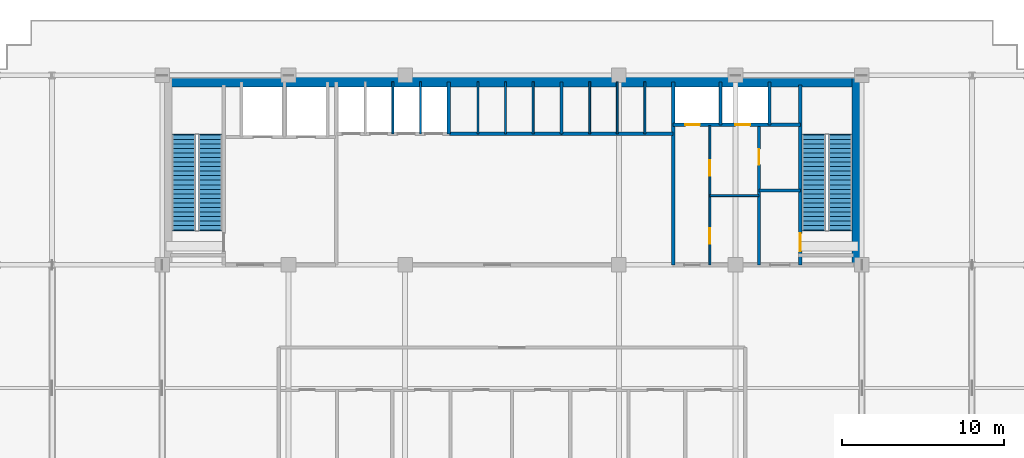
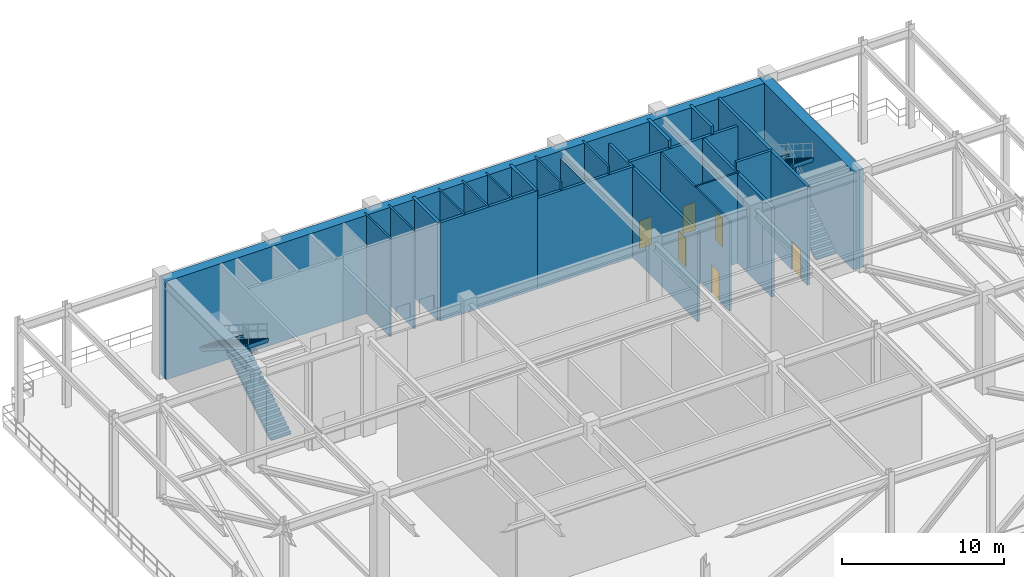
# One storey, part 12 of 16: 23 walls, 6 doors, 4 stair flights, 6 openings, 2 elements without a shape of their own.
"""IFC4 building model written with IfcOpenShell, lengths in metres."""

from ifc_helpers import new_model, si_unit, direction, frame, frame_2d, origin, place, context, subcontext, project, spatial, polyline, rectangle, outline, extrude, source, transform, mapped, material, layer, layer_set, type_object, element, fill, aggregate, save


model = new_model("IFC4")

# Units and contexts
model_context = context("Model", 3, precision=1e-05, world=origin(), true_north=direction((0.0, 1.0)))
body_context = subcontext(model_context, "Body", "Model", "MODEL_VIEW")
ifc_project = project(units=[si_unit("LENGTHUNIT", "METRE"), si_unit("AREAUNIT", "SQUARE_METRE"), si_unit("VOLUMEUNIT", "CUBIC_METRE"), si_unit("PLANEANGLEUNIT", "RADIAN"), si_unit("MASSUNIT", "GRAM", prefix="KILO")], contexts=[model_context])

# Site, building, storey
site_placement = place(None, origin())
site = spatial("IfcSite", under=ifc_project, at=site_placement, CompositionType="ELEMENT")
building_placement = place(site_placement, origin())
building = spatial("IfcBuilding", under=site, at=building_placement, Name="Trelvane Seafront Commons", CompositionType="ELEMENT")
storey_placement = place(building_placement, frame((0.0, 0.0, 73.89990234375)))
storey = spatial("IfcBuildingStorey", under=building, at=storey_placement, Name="L19", CompositionType="ELEMENT", Elevation=73.89990234375)

# Wall, opening, door
ifc_material_1 = material(Name="Concrete C40/50", Category="concrete")
ifc_layer_1 = layer(ifc_material_1, 0.199951171875, Name="ARCH-WALL-FIRE200")
ifc_layer_set_1 = layer_set([ifc_layer_1], Name="Concrete C40/50")
wall_type_1 = type_object("IfcWallType", Name="ARCH-WALL-FIRE200", PredefinedType="PARTITIONING", material=ifc_layer_set_1)
wall_1_placement = place(storey_placement, frame((52.449951171875, 33.39990234375, 0.0), z_axis=(0.0, 0.0, 1.0), x_axis=(0.0, 1.0, 0.0)))
wall_1 = element("IfcWall", 1, at=wall_1_placement, inside=storey, type_object=wall_type_1, Name="W-L19-ST2V-W-033", PredefinedType="PARTITIONING", context=body_context, shape_type="SweptSolid", body=[
    extrude(rectangle(XDim=8.650146484375, YDim=0.199951171875, at=frame_2d((4.3251953125, 0.0))), origin(), (0.0, 0.0, 1.0), 6.77001953125),
])
opening_1_placement = place(wall_1_placement, frame((6.199951171875, 0.0, 0.0)))
opening_1 = element("IfcOpeningElement", 2, at=opening_1_placement, cuts=wall_1, Name="Opening FD-L19-13", PredefinedType="OPENING", context=body_context, shape_type="SweptSolid", body=[
    extrude(rectangle(XDim=0.949951171875, YDim=2.14990234375, at=frame_2d((0.47509765625, 1.074951171875))), frame((0.0, 0.10986328125, 0.0), z_axis=(0.0, -1.0, 0.0), x_axis=(1.0, 0.0, 0.0)), (0.0, 0.0, 1.0), 0.219970703125),
])
ifc_material_2 = material(Name="Powder-coated aluminium frame", Category="aluminium")
door_type_1 = type_object("IfcDoorType", Name="ARCH-DR-FD60-950", OperationType="NOTDEFINED", PredefinedType="DOOR", material=ifc_material_2)
shared_shape_1 = source(origin(), body_context, "Body", "SweptSolid", [
    extrude(rectangle(XDim=0.949951171875, YDim=2.14990234375, at=frame_2d((0.47509765625, 1.074951171875))), frame((0.0, 0.02490234375, 0.0), z_axis=(0.0, -1.0, 0.0), x_axis=(1.0, 0.0, 0.0)), (0.0, 0.0, 1.0), 0.050048828125),
])
door_1_placement = place(opening_1_placement, origin())
door_1 = element("IfcDoor", 3, at=door_1_placement, inside=storey, type_object=door_type_1, Name="L19 Cleaner Store Door", OperationType="SINGLE_SWING_LEFT", OverallHeight=2.14990234375, OverallWidth=0.949951171875, PredefinedType="DOOR", context=body_context, shape_type="MappedRepresentation", body=[
    mapped(shared_shape_1, transform((0.0, 0.0, 0.0), x_axis=(1.0, 0.0, 0.0), y_axis=(0.0, 1.0, 0.0), z_axis=(0.0, 0.0, 1.0), scale=1.0)),
])
fill(opening_1, door_1)

# Walls
wall_2_placement = place(storey_placement, frame((52.449951171875, 38.0, 0.0), z_axis=(0.0, 0.0, 1.0), x_axis=(1.0, 0.0, 0.0)))
element("IfcWall", 4, at=wall_2_placement, inside=storey, type_object=wall_type_1, Name="W-L19-ST2V-N-034", PredefinedType="PARTITIONING", context=body_context, shape_type="SweptSolid", body=[
    extrude(rectangle(XDim=2.550048828125, YDim=0.199951171875, at=frame_2d((1.27490234375, 0.0))), origin(), (0.0, 0.0, 1.0), 7.420166015625),
])
ifc_material_3 = material(Name="Gypsum Drywall Acoustic Partition")
ifc_layer_2 = layer(ifc_material_3, 0.1201171875, Name="ARCH-WALL-PART120")
ifc_layer_set_2 = layer_set([ifc_layer_2], Name="Gypsum Drywall Acoustic Partition")
wall_type_2 = type_object("IfcWallType", Name="ARCH-WALL-PART120", PredefinedType="PARTITIONING", material=ifc_layer_set_2)
for number, where, z_axis, x_axis, name in (
    (5, (29.85009765625, 41.5, 0.0), (0.0, 0.0, 1.0), (0.0, 1.0, 0.0), "W-L19-PL-DIV2-017"),
    (6, (31.550048828125, 41.5, 0.0), (0.0, 0.0, 1.0), (0.0, 1.0, 0.0), "W-L19-PL-DIV3-018"),
    (7, (35.10009765625, 41.5, 0.0), (0.0, 0.0, 1.0), (0.0, 1.0, 0.0), "W-L19-PM-DIV1-020"),
    (8, (36.800048828125, 41.5, 0.0), (0.0, 0.0, 1.0), (0.0, 1.0, 0.0), "W-L19-PM-DIV2-021"),
    (9, (38.5, 41.5, 0.0), (0.0, 0.0, 1.0), (0.0, 1.0, 0.0), "W-L19-PM-DIV3-022"),
    (10, (42.0, 41.5, 0.0), (0.0, 0.0, 1.0), (0.0, 1.0, 0.0), "W-L19-PH-DIV1-025"),
):
    element("IfcWall", number, at=place(storey_placement, frame(where, z_axis=z_axis, x_axis=x_axis)), inside=storey, type_object=wall_type_2, Name=name, PredefinedType="PARTITIONING", context=body_context, shape_type="SweptSolid", body=[
        extrude(rectangle(XDim=3.199951171875, YDim=0.1201171875, at=frame_2d((1.60009765625, 0.0))), origin(), (0.0, 0.0, 1.0), 7.420166015625),
    ])
wall_3_placement = place(storey_placement, frame((43.699951171875, 41.5, 0.0), z_axis=(0.0, 0.0, 1.0), x_axis=(0.0, 1.0, 0.0)))
element("IfcWall", 11, at=wall_3_placement, inside=storey, type_object=wall_type_2, Name="W-L19-PH-DIV2-026", PredefinedType="PARTITIONING", context=body_context, shape_type="SweptSolid", body=[
    extrude(rectangle(XDim=3.199951171875, YDim=0.1201171875, at=frame_2d((1.60009765625, 0.0))), origin(), (0.0, 0.0, 1.0), 6.83203125),
])
wall_4_placement = place(storey_placement, frame((45.39990234375, 41.5, 0.0), z_axis=(0.0, 0.0, 1.0), x_axis=(0.0, 1.0, 0.0)))
element("IfcWall", 12, at=wall_4_placement, inside=storey, type_object=wall_type_2, Name="W-L19-PH-DIV3-027", PredefinedType="PARTITIONING", context=body_context, shape_type="SweptSolid", body=[
    extrude(rectangle(XDim=3.199951171875, YDim=0.1201171875, at=frame_2d((1.60009765625, 0.0))), origin(), (0.0, 0.0, 1.0), 7.420166015625),
])

# Wall, openings, doors
wall_5_placement = place(storey_placement, frame((49.419921875, 33.39990234375, 0.0), z_axis=(0.0, 0.0, 1.0), x_axis=(0.0, 1.0, 0.0)))
wall_5 = element("IfcWall", 13, at=wall_5_placement, inside=storey, type_object=wall_type_2, Name="W-L19-CYC0-V-035", PredefinedType="PARTITIONING", context=body_context, shape_type="SweptSolid", body=[
    extrude(rectangle(XDim=8.60009765625, YDim=0.1201171875, at=frame_2d((4.300048828125, 0.0))), origin(), (0.0, 0.0, 1.0), 6.77001953125),
])
opening_2_placement = place(wall_5_placement, frame((1.300048828125, 0.0, 0.0)))
opening_2 = element("IfcOpeningElement", 14, at=opening_2_placement, cuts=wall_5, Name="Opening D-L19-14", PredefinedType="OPENING", context=body_context, shape_type="SweptSolid", body=[
    extrude(rectangle(XDim=0.949951171875, YDim=2.14990234375, at=frame_2d((0.47509765625, 1.074951171875))), frame((0.0, 0.070068359375, 0.0), z_axis=(0.0, -1.0, 0.0), x_axis=(1.0, 0.0, 0.0)), (0.0, 0.0, 1.0), 0.14013671875),
])
opening_3_placement = place(wall_5_placement, frame((5.5, 0.0, 0.0)))
opening_3 = element("IfcOpeningElement", 15, at=opening_3_placement, cuts=wall_5, Name="Opening D-L19-15", PredefinedType="OPENING", context=body_context, shape_type="SweptSolid", body=[
    extrude(rectangle(XDim=0.949951171875, YDim=2.14990234375, at=frame_2d((0.47509765625, 1.074951171875))), frame((0.0, 0.070068359375, 0.0), z_axis=(0.0, -1.0, 0.0), x_axis=(1.0, 0.0, 0.0)), (0.0, 0.0, 1.0), 0.14013671875),
])
ifc_material_4 = material(Name="Acoustic timber door leaf", Category="wood")
door_type_2 = type_object("IfcDoorType", Name="ARCH-DR-INT950", OperationType="NOTDEFINED", PredefinedType="DOOR", material=ifc_material_4)
door_2_placement = place(opening_2_placement, origin())
door_2 = element("IfcDoor", 16, at=door_2_placement, inside=storey, type_object=door_type_2, Name="L19 Accessible WC Door", OperationType="SINGLE_SWING_RIGHT", OverallHeight=2.14990234375, OverallWidth=0.949951171875, PredefinedType="DOOR", context=body_context, shape_type="MappedRepresentation", body=[
    mapped(shared_shape_1, transform((0.0, 0.0, 0.0), x_axis=(1.0, 0.0, 0.0), y_axis=(0.0, 1.0, 0.0), z_axis=(0.0, 0.0, 1.0), scale=1.0)),
])
fill(opening_2, door_2)
door_3_placement = place(opening_3_placement, origin())
door_3 = element("IfcDoor", 17, at=door_3_placement, inside=storey, type_object=door_type_2, Name="L19 Common WC Door", OperationType="SINGLE_SWING_LEFT", OverallHeight=2.14990234375, OverallWidth=0.949951171875, PredefinedType="DOOR", context=body_context, shape_type="MappedRepresentation", body=[
    mapped(shared_shape_1, transform((0.0, 0.0, 0.0), x_axis=(1.0, 0.0, 0.0), y_axis=(0.0, 1.0, 0.0), z_axis=(0.0, 0.0, 1.0), scale=1.0)),
])
fill(opening_3, door_3)

# Walls
wall_6_placement = place(storey_placement, frame((49.419921875, 37.679931640625, 0.0), z_axis=(0.0, 0.0, 1.0), x_axis=(1.0, 0.0, 0.0)))
element("IfcWall", 18, at=wall_6_placement, inside=storey, type_object=wall_type_2, Name="W-L19-CYC0-H-036", PredefinedType="PARTITIONING", context=body_context, shape_type="SweptSolid", body=[
    extrude(rectangle(XDim=3.030029296875, YDim=0.1201171875, at=frame_2d((1.51513671875, 0.0))), origin(), (0.0, 0.0, 1.0), 6.83203125),
])
ifc_layer_3 = layer(ifc_material_1, 0.199951171875, Name="ARCH-WALL-SHAFT200")
ifc_layer_set_3 = layer_set([ifc_layer_3], Name="Concrete C40/50")
wall_type_3 = type_object("IfcWallType", Name="ARCH-WALL-SHAFT200", PredefinedType="SOLIDWALL", material=ifc_layer_set_3)
wall_7_placement = place(storey_placement, frame((33.300048828125, 41.5, 0.0), z_axis=(0.0, 0.0, 1.0), x_axis=(0.0, 1.0, 0.0)))
element("IfcWall", 19, at=wall_7_placement, inside=storey, type_object=wall_type_3, Name="W-L19-PL-EAST-SH-015", PredefinedType="SOLIDWALL", context=body_context, shape_type="SweptSolid", body=[
    extrude(rectangle(XDim=3.199951171875, YDim=0.199951171875, at=frame_2d((1.60009765625, 0.0))), origin(), (0.0, 0.0, 1.0), 7.420166015625),
])
wall_8_placement = place(storey_placement, frame((33.35009765625, 41.5, 0.0), z_axis=(0.0, 0.0, 1.0), x_axis=(1.0, 0.0, 0.0)))
element("IfcWall", 20, at=wall_8_placement, inside=storey, type_object=wall_type_3, Name="W-L19-PM-FRONT-019", PredefinedType="SOLIDWALL", context=body_context, shape_type="SweptSolid", body=[
    extrude(rectangle(XDim=6.89990234375, YDim=0.199951171875, at=frame_2d((3.449951171875, 0.0))), origin(), (0.0, 0.0, 1.0), 7.420166015625),
])
wall_9_placement = place(storey_placement, frame((40.25, 41.5, 0.0), z_axis=(0.0, 0.0, 1.0), x_axis=(1.0, 0.0, 0.0)))
element("IfcWall", 21, at=wall_9_placement, inside=storey, type_object=wall_type_3, Name="W-L19-PH-FRONT-023", PredefinedType="SOLIDWALL", context=body_context, shape_type="SweptSolid", body=[
    extrude(rectangle(XDim=6.89990234375, YDim=0.199951171875, at=frame_2d((3.449951171875, 0.0))), origin(), (0.0, 0.0, 1.0), 6.83203125),
])
wall_10_placement = place(storey_placement, frame((40.25, 41.5, 0.0), z_axis=(0.0, 0.0, 1.0), x_axis=(0.0, 1.0, 0.0)))
element("IfcWall", 22, at=wall_10_placement, inside=storey, type_object=wall_type_3, Name="W-L19-PH-WEST-SH-024", PredefinedType="SOLIDWALL", context=body_context, shape_type="SweptSolid", body=[
    extrude(rectangle(XDim=3.199951171875, YDim=0.199951171875, at=frame_2d((1.60009765625, 0.0))), origin(), (0.0, 0.0, 1.0), 7.420166015625),
])
wall_11_placement = place(storey_placement, frame((47.14990234375, 33.39990234375, 0.0), z_axis=(0.0, 0.0, 1.0), x_axis=(0.0, 1.0, 0.0)))
element("IfcWall", 23, at=wall_11_placement, inside=storey, type_object=wall_type_3, Name="W-L19-PH-EAST-028", PredefinedType="SOLIDWALL", context=body_context, shape_type="SweptSolid", body=[
    extrude(rectangle(XDim=11.300048828125, YDim=0.199951171875, at=frame_2d((5.64990234375, 0.0))), origin(), (0.0, 0.0, 1.0), 6.77001953125),
])

# Wall, openings, doors
wall_12_placement = place(storey_placement, frame((47.14990234375, 42.050048828125, 0.0), z_axis=(0.0, 0.0, 1.0), x_axis=(1.0, 0.0, 0.0)))
wall_12 = element("IfcWall", 24, at=wall_12_placement, inside=storey, type_object=wall_type_3, Name="W-L19-RSR-S-030", PredefinedType="SOLIDWALL", context=body_context, shape_type="SweptSolid", body=[
    extrude(rectangle(XDim=7.85009765625, YDim=0.199951171875, at=frame_2d((3.925048828125, 0.0))), origin(), (0.0, 0.0, 1.0), 6.83203125),
])
opening_4_placement = place(wall_12_placement, frame((0.75, 0.0, 0.0)))
opening_4 = element("IfcOpeningElement", 25, at=opening_4_placement, cuts=wall_12, Name="Opening FD-L19-11", PredefinedType="OPENING", context=body_context, shape_type="SweptSolid", body=[
    extrude(rectangle(XDim=0.89990234375, YDim=2.10009765625, at=frame_2d((0.449951171875, 1.050048828125))), frame((0.0, 0.10986328125, 0.0), z_axis=(0.0, -1.0, 0.0), x_axis=(1.0, 0.0, 0.0)), (0.0, 0.0, 1.0), 0.219970703125),
])
opening_5_placement = place(wall_12_placement, frame((3.85009765625, 0.0, 0.0)))
opening_5 = element("IfcOpeningElement", 26, at=opening_5_placement, cuts=wall_12, Name="Opening FD-L19-12", PredefinedType="OPENING", context=body_context, shape_type="SweptSolid", body=[
    extrude(rectangle(XDim=0.89990234375, YDim=2.10009765625, at=frame_2d((0.449951171875, 1.050048828125))), frame((0.0, 0.10986328125, 0.0), z_axis=(0.0, -1.0, 0.0), x_axis=(1.0, 0.0, 0.0)), (0.0, 0.0, 1.0), 0.219970703125),
])
door_type_3 = type_object("IfcDoorType", Name="ARCH-DR-FD60-900", OperationType="NOTDEFINED", PredefinedType="DOOR", material=ifc_material_2)
shared_shape_2 = source(origin(), body_context, "Body", "SweptSolid", [
    extrude(rectangle(XDim=0.89990234375, YDim=2.10009765625, at=frame_2d((0.449951171875, 1.050048828125))), frame((0.0, 0.02490234375, 0.0), z_axis=(0.0, -1.0, 0.0), x_axis=(1.0, 0.0, 0.0)), (0.0, 0.0, 1.0), 0.050048828125),
])
door_4_placement = place(opening_4_placement, origin())
door_4 = element("IfcDoor", 27, at=door_4_placement, inside=storey, type_object=door_type_3, Name="L19 Electrical Riser Access Door", OperationType="SINGLE_SWING_LEFT", OverallHeight=2.10009765625, OverallWidth=0.89990234375, PredefinedType="DOOR", context=body_context, shape_type="MappedRepresentation", body=[
    mapped(shared_shape_2, transform((0.0, 0.0, 0.0), x_axis=(1.0, 0.0, 0.0), y_axis=(0.0, 1.0, 0.0), z_axis=(0.0, 0.0, 1.0), scale=1.0)),
])
fill(opening_4, door_4)
door_5_placement = place(opening_5_placement, origin())
door_5 = element("IfcDoor", 28, at=door_5_placement, inside=storey, type_object=door_type_3, Name="L19 Mechanical Riser Access Door", OperationType="SINGLE_SWING_RIGHT", OverallHeight=2.10009765625, OverallWidth=0.89990234375, PredefinedType="DOOR", context=body_context, shape_type="MappedRepresentation", body=[
    mapped(shared_shape_2, transform((0.0, 0.0, 0.0), x_axis=(1.0, 0.0, 0.0), y_axis=(0.0, 1.0, 0.0), z_axis=(0.0, 0.0, 1.0), scale=1.0)),
])
fill(opening_5, door_5)

# Walls
for number, where, z_axis, x_axis, name in (
    (29, (50.080078125, 42.050048828125, 0.0), (0.0, 0.0, 1.0), (0.0, 1.0, 0.0), "W-L19-RSR-DIV-031"),
    (30, (53.10009765625, 42.050048828125, 0.0), (0.0, 0.0, 1.0), (0.0, 1.0, 0.0), "W-L19-RSR-E-032"),
):
    element("IfcWall", number, at=place(storey_placement, frame(where, z_axis=z_axis, x_axis=x_axis)), inside=storey, type_object=wall_type_3, Name=name, PredefinedType="SOLIDWALL", context=body_context, shape_type="SweptSolid", body=[
        extrude(rectangle(XDim=2.64990234375, YDim=0.199951171875, at=frame_2d((1.324951171875, 0.0))), origin(), (0.0, 0.0, 1.0), 7.420166015625),
    ])
ifc_material_5 = material(Name="Concrete C60/75", Category="concrete")
ifc_layer_4 = layer(ifc_material_5, 0.699951171875, Name="STR-WALL-CORE700")
ifc_layer_set_4 = layer_set([ifc_layer_4], Name="Concrete C60/75")
wall_type_4 = type_object("IfcWallType", Name="STR-WALL-CORE700", PredefinedType="SHEAR", material=ifc_layer_set_4)
wall_13_placement = place(storey_placement, frame((15.5, 44.75, 0.0), z_axis=(0.0, 0.0, 1.0), x_axis=(1.0, 0.0, 0.0)))
element("IfcWall", 31, at=wall_13_placement, inside=storey, type_object=wall_type_4, Name="W-L19-CN-ALL-001", PredefinedType="SHEAR", context=body_context, shape_type="SweptSolid", body=[
    extrude(rectangle(XDim=43.39990234375, YDim=0.699951171875, at=frame_2d((21.699951171875, 0.0))), origin(), (0.0, 0.0, 1.0), 7.420166015625),
])
wall_14_placement = place(storey_placement, frame((58.550048828125, 33.39990234375, 0.0), z_axis=(0.0, 0.0, 1.0), x_axis=(0.0, 1.0, 0.0)))
element("IfcWall", 32, at=wall_14_placement, inside=storey, type_object=wall_type_4, Name="W-L19-CE-END-003", PredefinedType="SHEAR", context=body_context, shape_type="SweptSolid", body=[
    extrude(rectangle(XDim=11.7001953125, YDim=0.699951171875, at=frame_2d((5.85009765625, 0.0))), origin(), (0.0, 0.0, 1.0), 7.420166015625),
])

# Wall, opening, door
ifc_material_6 = material(Name="Concrete C50/60", Category="concrete")
ifc_layer_5 = layer(ifc_material_6, 0.199951171875, Name="STR-WALL-STAIR200")
ifc_layer_set_5 = layer_set([ifc_layer_5], Name="Concrete C50/60")
wall_type_5 = type_object("IfcWallType", Name="STR-WALL-STAIR200", PredefinedType="SHEAR", material=ifc_layer_set_5)
wall_15_placement = place(storey_placement, frame((55.0, 33.39990234375, 0.0), z_axis=(0.0, 0.0, 1.0), x_axis=(0.0, 1.0, 0.0)))
wall_15 = element("IfcWall", 33, at=wall_15_placement, inside=storey, type_object=wall_type_5, Name="W-L19-ST2-W-007", PredefinedType="SHEAR", context=body_context, shape_type="SweptSolid", body=[
    extrude(rectangle(XDim=11.10009765625, YDim=0.199951171875, at=frame_2d((5.550048828125, 0.0))), origin(), (0.0, 0.0, 1.0), 7.420166015625),
])
opening_6_placement = place(wall_15_placement, frame((0.85009765625, 0.0, 0.0)))
opening_6 = element("IfcOpeningElement", 34, at=opening_6_placement, cuts=wall_15, Name="Opening ST-D2-L19", PredefinedType="OPENING", context=body_context, shape_type="SweptSolid", body=[
    extrude(rectangle(XDim=1.10009765625, YDim=2.14990234375, at=frame_2d((0.550048828125, 1.074951171875))), frame((0.0, 0.10986328125, 0.0), z_axis=(0.0, -1.0, 0.0), x_axis=(1.0, 0.0, 0.0)), (0.0, 0.0, 1.0), 0.219970703125),
])
door_type_4 = type_object("IfcDoorType", Name="ARCH-DR-FD90-1100", OperationType="NOTDEFINED", PredefinedType="DOOR", material=ifc_material_2)
shared_shape_3 = source(origin(), body_context, "Body", "SweptSolid", [
    extrude(rectangle(XDim=1.10009765625, YDim=2.14990234375, at=frame_2d((0.550048828125, 1.074951171875))), frame((0.0, 0.02490234375, 0.0), z_axis=(0.0, -1.0, 0.0), x_axis=(1.0, 0.0, 0.0)), (0.0, 0.0, 1.0), 0.050048828125),
])
door_6_placement = place(opening_6_placement, origin())
door_6 = element("IfcDoor", 35, at=door_6_placement, inside=storey, type_object=door_type_4, Name="L19 Stair ST-2 Vestibule Fire Door", OperationType="SINGLE_SWING_RIGHT", OverallHeight=2.14990234375, OverallWidth=1.10009765625, PredefinedType="DOOR", context=body_context, shape_type="MappedRepresentation", body=[
    mapped(shared_shape_3, transform((0.0, 0.0, 0.0), x_axis=(1.0, 0.0, 0.0), y_axis=(0.0, 1.0, 0.0), z_axis=(0.0, 0.0, 1.0), scale=1.0)),
])
fill(opening_6, door_6)

# Stair, stair flights
stair_type_1 = type_object("IfcStairType", Name="ARCH-STR-ST-1-R44-177", PredefinedType="HALF_TURN_STAIR", material=ifc_material_1)
stair_1_placement = place(storey_placement, origin())
stair_1 = element("IfcStair", 36, at=stair_1_placement, inside=storey, type_object=stair_type_1, Name="L19 West Protected Firefighting Exit Stair ST-1", PredefinedType="HALF_TURN_STAIR")
stair_flight_type_1 = type_object("IfcStairFlightType", Name="ARCH-FLG-ST-1-R44-177", PredefinedType="STRAIGHT", material=ifc_material_1)
shared_shape_4 = source(origin(), body_context, "Body", "SweptSolid", [
    extrude(outline(polyline([(-0.050048828125, -0.02001953125), (-0.050048828125, 0.0), (0.0, 0.0), (0.0, 0.17724609375), (0.280029296875, 0.17724609375), (0.280029296875, 0.3544921875), (0.56005859375, 0.3544921875), (0.56005859375, 0.53173828125), (0.840087890625, 0.53173828125), (0.840087890625, 0.708984375), (1.1201171875, 0.708984375), (1.1201171875, 0.886474609375), (1.39990234375, 0.886474609375), (1.39990234375, 1.063720703125), (1.679931640625, 1.063720703125), (1.679931640625, 1.240966796875), (1.9599609375, 1.240966796875), (1.9599609375, 1.418212890625), (2.239990234375, 1.418212890625), (2.239990234375, 1.595458984375), (2.52001953125, 1.595458984375), (2.52001953125, 1.772705078125), (2.800048828125, 1.772705078125), (2.800048828125, 1.949951171875), (3.080078125, 1.949951171875), (3.080078125, 2.127197265625), (3.360107421875, 2.127197265625), (3.360107421875, 2.304443359375), (3.639892578125, 2.304443359375), (3.639892578125, 2.48193359375), (3.919921875, 2.48193359375), (3.919921875, 2.6591796875), (4.199951171875, 2.6591796875), (4.199951171875, 2.83642578125), (4.47998046875, 2.83642578125), (4.47998046875, 3.013671875), (4.760009765625, 3.013671875), (4.760009765625, 3.19091796875), (5.0400390625, 3.19091796875), (5.0400390625, 3.3681640625), (5.320068359375, 3.3681640625), (5.320068359375, 3.54541015625), (5.60009765625, 3.54541015625), (5.60009765625, 3.72265625), (5.8798828125, 3.72265625), (5.8798828125, 3.89990234375), (5.929931640625, 3.89990234375), (5.929931640625, 3.75), (5.8798828125, 3.54541015625), (0.2802734375, -0.02001953125), (-0.050048828125, -0.02001953125)])), frame((0.0, 0.72509765625, 0.0), z_axis=(0.0, -1.0, 0.0), x_axis=(1.0, 0.0, 0.0)), (0.0, 0.0, 1.0), 1.449951171875),
])
stair_flight_1_placement = place(storey_placement, frame((18.574951171875, 35.550048828125, 0.0), z_axis=(0.0, 0.0, 1.0), x_axis=(0.0, 1.0, 0.0)))
stair_flight_1 = element("IfcStairFlight", 37, at=stair_flight_1_placement, type_object=stair_flight_type_1, Name="ST-1 flight 1", NumberOfRisers=22, NumberOfTreads=21, PredefinedType="STRAIGHT", RiserHeight=0.177272727, TreadLength=0.28, context=body_context, shape_type="MappedRepresentation", body=[
    mapped(shared_shape_4, transform((0.0, 0.0, 0.0), x_axis=(1.0, 0.0, 0.0), y_axis=(0.0, 1.0, 0.0), z_axis=(0.0, 0.0, 1.0), scale=1.0)),
])
stair_flight_2_placement = place(storey_placement, frame((16.925048828125, 41.429931640625, 3.900146484375), z_axis=(0.0, 0.0, 1.0), x_axis=(0.0, -1.0, 0.0)))
stair_flight_2 = element("IfcStairFlight", 38, at=stair_flight_2_placement, type_object=stair_flight_type_1, Name="ST-1 flight 2", NumberOfRisers=22, NumberOfTreads=21, PredefinedType="STRAIGHT", RiserHeight=0.177272727, TreadLength=0.28, context=body_context, shape_type="MappedRepresentation", body=[
    mapped(shared_shape_4, transform((0.0, 0.0, 0.0), x_axis=(1.0, 0.0, 0.0), y_axis=(0.0, 1.0, 0.0), z_axis=(0.0, 0.0, 1.0), scale=1.0)),
])
aggregate(stair_1, [stair_flight_1, stair_flight_2])

stair_type_2 = type_object("IfcStairType", Name="ARCH-STR-ST-2-R44-177", PredefinedType="HALF_TURN_STAIR", material=ifc_material_1)
stair_2_placement = place(storey_placement, origin())
stair_2 = element("IfcStair", 39, at=stair_2_placement, inside=storey, type_object=stair_type_2, Name="L19 East Protected Firefighting Exit Stair ST-2", PredefinedType="HALF_TURN_STAIR")
stair_flight_type_2 = type_object("IfcStairFlightType", Name="ARCH-FLG-ST-2-R44-177", PredefinedType="STRAIGHT", material=ifc_material_1)
stair_flight_3_placement = place(storey_placement, frame((57.47509765625, 35.550048828125, 0.0), z_axis=(0.0, 0.0, 1.0), x_axis=(0.0, 1.0, 0.0)))
stair_flight_3 = element("IfcStairFlight", 40, at=stair_flight_3_placement, type_object=stair_flight_type_2, Name="ST-2 flight 1", NumberOfRisers=22, NumberOfTreads=21, PredefinedType="STRAIGHT", RiserHeight=0.177272727, TreadLength=0.28, context=body_context, shape_type="MappedRepresentation", body=[
    mapped(shared_shape_4, transform((0.0, 0.0, 0.0), x_axis=(1.0, 0.0, 0.0), y_axis=(0.0, 1.0, 0.0), z_axis=(0.0, 0.0, 1.0), scale=1.0)),
])
stair_flight_4_placement = place(storey_placement, frame((55.824951171875, 41.429931640625, 3.900146484375), z_axis=(0.0, 0.0, 1.0), x_axis=(0.0, -1.0, 0.0)))
stair_flight_4 = element("IfcStairFlight", 41, at=stair_flight_4_placement, type_object=stair_flight_type_2, Name="ST-2 flight 2", NumberOfRisers=22, NumberOfTreads=21, PredefinedType="STRAIGHT", RiserHeight=0.177272727, TreadLength=0.28, context=body_context, shape_type="MappedRepresentation", body=[
    mapped(shared_shape_4, transform((0.0, 0.0, 0.0), x_axis=(1.0, 0.0, 0.0), y_axis=(0.0, 1.0, 0.0), z_axis=(0.0, 0.0, 1.0), scale=1.0)),
])
aggregate(stair_2, [stair_flight_3, stair_flight_4])

save(model, "model.ifc")
